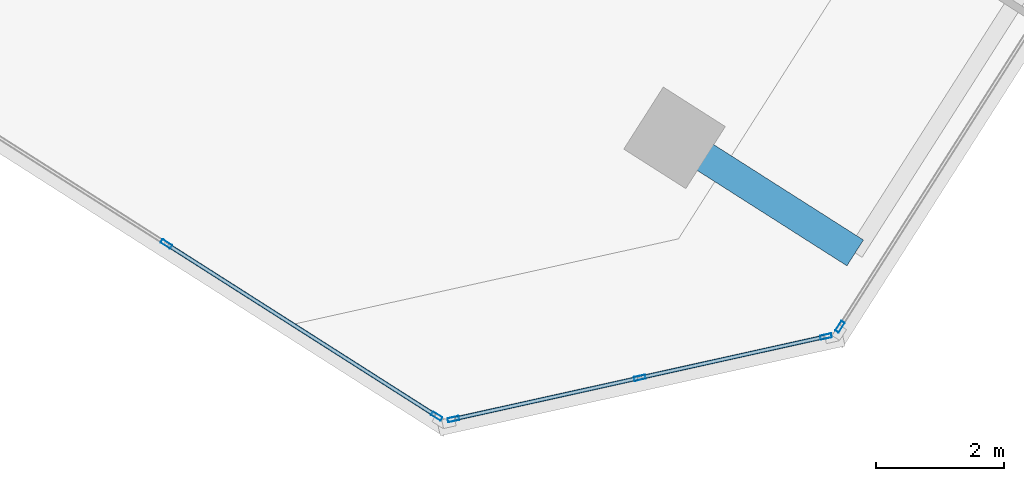
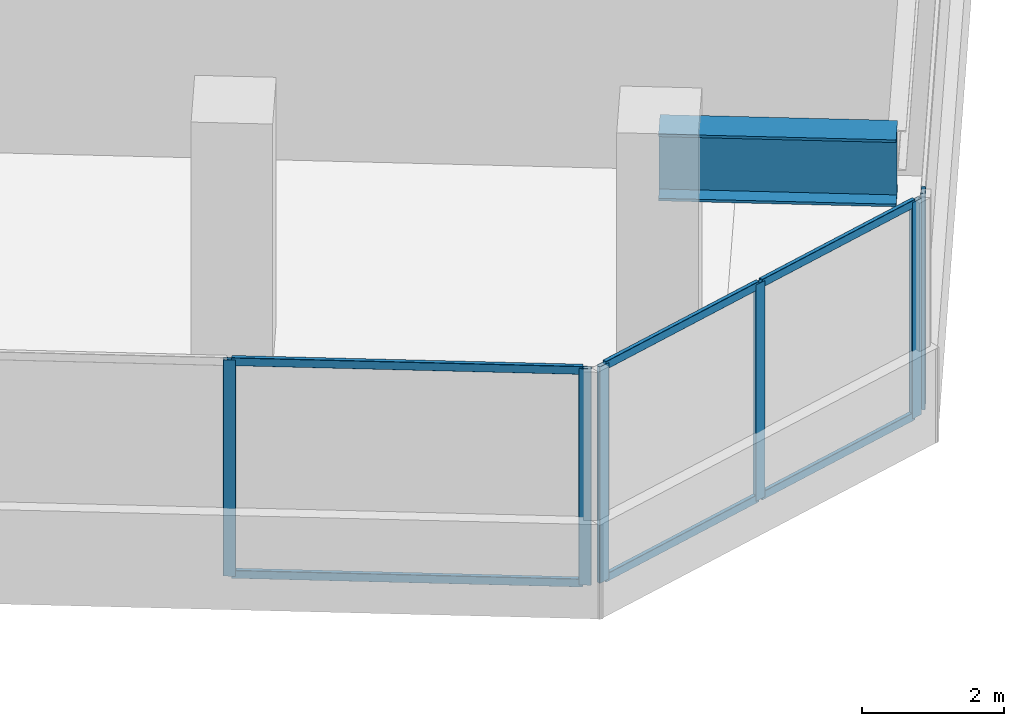
# One storey, part 7 of 23: 12 members, 1 beam, 3 elements without a shape of their own.
"""IFC4 building model written with IfcOpenShell, lengths in metres."""

from ifc_helpers import new_model, si_unit, direction, frame, origin, origin_2d, place, context, subcontext, project, spatial, hollow_rectangle, i_section, extrude, source, transform, mapped, material, material_profile, profile_set, type_object, element, aggregate, save


model = new_model("IFC4")

# Units and contexts
model_context = context("Model", 3, precision=1e-05, world=origin(), true_north=direction((0.0, 1.0)))
body_context = subcontext(model_context, "Body", "Model", "MODEL_VIEW")
ifc_project = project(units=[si_unit("LENGTHUNIT", "METRE"), si_unit("AREAUNIT", "SQUARE_METRE"), si_unit("VOLUMEUNIT", "CUBIC_METRE"), si_unit("PLANEANGLEUNIT", "RADIAN"), si_unit("MASSUNIT", "GRAM", prefix="KILO")], contexts=[model_context])

# Site, building, storey
site_placement = place(None, origin())
site = spatial("IfcSite", under=ifc_project, at=site_placement, CompositionType="ELEMENT")
building_placement = place(site_placement, origin())
building = spatial("IfcBuilding", under=site, at=building_placement, Name="Torre Montelarca", CompositionType="ELEMENT")
storey_placement = place(building_placement, frame((0.0, 0.0, 187.60009765625)))
storey = spatial("IfcBuildingStorey", under=building, at=storey_placement, Name="L42", CompositionType="ELEMENT", Elevation=187.60009765625)

# Beam
ifc_material_1 = material(Name="Steel ASTM A572 Grade 50", Category="steel")
ifc_material_profile_1 = material_profile(ifc_material_1, i_section(OverallWidth=0.47998046875, OverallDepth=1.14990234375, WebThickness=0.02197265625, FlangeThickness=0.044921875, at=origin_2d()), Name="PG1150X480X22X45", Category="steel")
ifc_profile_set_1 = profile_set([ifc_material_profile_1], Name="Steel ASTM A572 Grade 50")
beam_type = type_object("IfcBeamType", Name="BM-CG-PG1400-EXT", PredefinedType="USERDEFINED", material=ifc_profile_set_1)
shared_shape_1 = source(origin(), body_context, "Body", "SweptSolid", [
    extrude(i_section(OverallWidth=0.47998046875, OverallDepth=1.14990234375, WebThickness=0.02197265625, FlangeThickness=0.044921875, at=origin_2d()), origin(), (0.0, 0.0, 1.0), 3.349853515625),
])
beam_placement = place(storey_placement, frame((39.551513671875, 11.014404296875, 3.385009765625), z_axis=(0.843397293465, -0.537290429262, 0.0), x_axis=(0.537290429262, 0.843397293465, 0.0)))
element("IfcBeam", 1, at=beam_placement, inside=storey, type_object=beam_type, Name="L42 Sliding Tray Cantilever Girder East Y=24m (FLR)", ObjectType="CANTILEVER GIRDER", PredefinedType="USERDEFINED", context=body_context, shape_type="MappedRepresentation", body=[
    mapped(shared_shape_1, transform((0.0, 0.0, 0.0), scale=1.0)),
])

# Curtain wall, members
ifc_material_2 = material(Name="Insulated low-E laminated glass", Category="glass")
curtain_wall_type = type_object("IfcCurtainWallType", Name="CW-SYS-Z2", PredefinedType="USERDEFINED", material=ifc_material_2)
curtain_wall_1_placement = place(storey_placement, origin())
curtain_wall_1 = element("IfcCurtainWall", 2, at=curtain_wall_1_placement, inside=storey, type_object=curtain_wall_type, Name="L42 Curtain Wall Run CW-T3-L42-E05-B1", ObjectType="UNITISED GLAZING", PredefinedType="USERDEFINED")
ifc_material_3 = material(Name="Anodised aluminium AA 6063-T6", Category="aluminium")
ifc_material_profile_2 = material_profile(ifc_material_3, hollow_rectangle(XDim=0.06494140625, YDim=0.139892578125, WallThickness=0.00390625, InnerFilletRadius=0.00390625, OuterFilletRadius=0.008056640625, at=origin_2d()), Name="ALU65X140X4", Category="aluminium")
ifc_profile_set_2 = profile_set([ifc_material_profile_2], Name="Anodised aluminium AA 6063-T6")
member_type_1 = type_object("IfcMemberType", Name="CWT-ALU140", PredefinedType="USERDEFINED", material=ifc_profile_set_2)
shared_shape_2 = source(origin(), body_context, "Body", "SweptSolid", [
    extrude(hollow_rectangle(XDim=0.06494140625, YDim=0.139892578125, WallThickness=0.00390625, InnerFilletRadius=0.00390625, OuterFilletRadius=0.008056640625, at=origin_2d()), origin(), (0.0, 0.0, 1.0), 2.918701171875),
])
member_1_placement = place(storey_placement, frame((36.126220703125, 6.6220703125, 0.032470703125), z_axis=(0.976306966176, 0.216390174906, 0.0), x_axis=(-0.216390174906, 0.976306966176, 0.0)))
member_1 = element("IfcMember", 3, at=member_1_placement, type_object=member_type_1, Name="CW transom 1.1", ObjectType="TRANSOM", PredefinedType="USERDEFINED", context=body_context, shape_type="MappedRepresentation", body=[
    mapped(shared_shape_2, transform((0.0, 0.0, 0.0), scale=1.0)),
])
member_2_placement = place(storey_placement, frame((36.126220703125, 6.6220703125, 3.6875), z_axis=(0.976306966176, 0.216390174906, 0.0), x_axis=(-0.216390174906, 0.976306966176, 0.0)))
member_2 = element("IfcMember", 4, at=member_2_placement, type_object=member_type_1, Name="CW transom 1.2", ObjectType="TRANSOM", PredefinedType="USERDEFINED", context=body_context, shape_type="MappedRepresentation", body=[
    mapped(shared_shape_2, transform((0.0, 0.0, 0.0), scale=1.0)),
])
shared_shape_3 = source(origin(), body_context, "Body", "SweptSolid", [
    extrude(hollow_rectangle(XDim=0.06494140625, YDim=0.139892578125, WallThickness=0.00390625, InnerFilletRadius=0.00390625, OuterFilletRadius=0.008056640625, at=origin_2d()), origin(), (0.0, 0.0, 1.0), 2.91845703125),
])
member_3_placement = place(storey_placement, frame((39.039306640625, 7.267822265625, 0.032470703125), z_axis=(0.976285372123, 0.216487579732, 0.0), x_axis=(-0.216487579732, 0.976285372123, 0.0)))
member_3 = element("IfcMember", 5, at=member_3_placement, type_object=member_type_1, Name="CW transom 2.1", ObjectType="TRANSOM", PredefinedType="USERDEFINED", context=body_context, shape_type="MappedRepresentation", body=[
    mapped(shared_shape_3, transform((0.0, 0.0, 0.0), scale=1.0)),
])
member_4_placement = place(storey_placement, frame((39.039306640625, 7.267822265625, 3.6875), z_axis=(0.976285372123, 0.216487579732, 0.0), x_axis=(-0.216487579732, 0.976285372123, 0.0)))
member_4 = element("IfcMember", 6, at=member_4_placement, type_object=member_type_1, Name="CW transom 2.2", ObjectType="TRANSOM", PredefinedType="USERDEFINED", context=body_context, shape_type="MappedRepresentation", body=[
    mapped(shared_shape_3, transform((0.0, 0.0, 0.0), scale=1.0)),
])

curtain_wall_2_placement = place(storey_placement, origin())
curtain_wall_2 = element("IfcCurtainWall", 7, at=curtain_wall_2_placement, inside=storey, type_object=curtain_wall_type, Name="L42 Curtain Wall Run CW-T3-L42-E04-B1", ObjectType="UNITISED GLAZING", PredefinedType="USERDEFINED")
ifc_material_profile_3 = material_profile(ifc_material_3, hollow_rectangle(XDim=0.06494140625, YDim=0.179931640625, WallThickness=0.00390625, InnerFilletRadius=0.00390625, OuterFilletRadius=0.008056640625, at=origin_2d()), Name="ALU65X180X4", Category="aluminium")
ifc_profile_set_3 = profile_set([ifc_material_profile_3], Name="Anodised aluminium AA 6063-T6")
member_type_2 = type_object("IfcMemberType", Name="CWM-ALU180", PredefinedType="MULLION", material=ifc_profile_set_3)
shared_shape_4 = source(origin(), body_context, "Body", "SweptSolid", [
    extrude(hollow_rectangle(XDim=0.06494140625, YDim=0.179931640625, WallThickness=0.00390625, InnerFilletRadius=0.00390625, OuterFilletRadius=0.008056640625, at=origin_2d()), origin(), (0.0, 0.0, 1.0), 3.719970703125),
])
member_5_placement = place(storey_placement, frame((31.603271484375, 9.355224609375, 0.0), z_axis=(0.0, 0.0, 1.0), x_axis=(0.537310114174, 0.843384752771, 0.0)))
member_5 = element("IfcMember", 8, at=member_5_placement, type_object=member_type_2, Name="CW mullion 2", PredefinedType="MULLION", context=body_context, shape_type="MappedRepresentation", body=[
    mapped(shared_shape_4, transform((0.0, 0.0, 0.0), scale=1.0)),
])
member_6_placement = place(storey_placement, frame((35.831787109375, 6.661376953125, 0.0), z_axis=(0.0, 0.0, 1.0), x_axis=(0.537310114174, 0.843384752771, 0.0)))
member_6 = element("IfcMember", 9, at=member_6_placement, type_object=member_type_2, Name="CW mullion 3", PredefinedType="MULLION", context=body_context, shape_type="MappedRepresentation", body=[
    mapped(shared_shape_4, transform((0.0, 0.0, 0.0), scale=1.0)),
])

# Member
member_7_placement = place(storey_placement, frame((36.094482421875, 6.614990234375, 0.0), z_axis=(0.0, 0.0, 1.0), x_axis=(-0.216463544344, 0.976290701569, 0.0)))
member_7 = element("IfcMember", 10, at=member_7_placement, type_object=member_type_2, Name="CW mullion 1", PredefinedType="MULLION", context=body_context, shape_type="MappedRepresentation", body=[
    mapped(shared_shape_4, transform((0.0, 0.0, 0.0), scale=1.0)),
])

member_8_placement = place(storey_placement, frame((39.007568359375, 7.2607421875, 0.0), z_axis=(0.0, 0.0, 1.0), x_axis=(-0.216463544344, 0.976290701569, 0.0)))
member_8 = element("IfcMember", 11, at=member_8_placement, type_object=member_type_2, Name="CW mullion 2", PredefinedType="MULLION", context=body_context, shape_type="MappedRepresentation", body=[
    mapped(shared_shape_4, transform((0.0, 0.0, 0.0), scale=1.0)),
])

member_9_placement = place(storey_placement, frame((41.92041015625, 7.90673828125, 0.0), z_axis=(0.0, 0.0, 1.0), x_axis=(-0.216463544344, 0.976290701569, 0.0)))
member_9 = element("IfcMember", 12, at=member_9_placement, type_object=member_type_2, Name="CW mullion 3", PredefinedType="MULLION", context=body_context, shape_type="MappedRepresentation", body=[
    mapped(shared_shape_4, transform((0.0, 0.0, 0.0), scale=1.0)),
])

aggregate(curtain_wall_1, [member_7, member_8, member_9, member_1, member_2, member_3, member_4])

# Curtain wall, member
curtain_wall_3_placement = place(storey_placement, origin())
curtain_wall_3 = element("IfcCurtainWall", 13, at=curtain_wall_3_placement, inside=storey, type_object=curtain_wall_type, Name="L42 Curtain Wall Run CW-T3-L42-E06-B1", ObjectType="UNITISED GLAZING", PredefinedType="USERDEFINED")
member_10_placement = place(storey_placement, frame((42.13916015625, 8.059814453125, 0.0), z_axis=(0.0, 0.0, 1.0), x_axis=(-0.843389039566, 0.53730338538, 0.0)))
member_10 = element("IfcMember", 14, at=member_10_placement, type_object=member_type_2, Name="CW mullion 1", PredefinedType="MULLION", context=body_context, shape_type="MappedRepresentation", body=[
    mapped(shared_shape_4, transform((0.0, 0.0, 0.0), scale=1.0)),
])
aggregate(curtain_wall_3, [member_10])

# Member
shared_shape_5 = source(origin(), body_context, "Body", "SweptSolid", [
    extrude(hollow_rectangle(XDim=0.06494140625, YDim=0.139892578125, WallThickness=0.00390625, InnerFilletRadius=0.00390625, OuterFilletRadius=0.008056640625, at=origin_2d()), origin(), (0.0, 0.0, 1.0), 4.94873046875),
])
member_11_placement = place(storey_placement, frame((31.630615234375, 9.337646484375, 0.032470703125), z_axis=(0.843385098953, -0.537309570792, 0.0), x_axis=(0.537309570792, 0.843385098953, 0.0)))
member_11 = element("IfcMember", 15, at=member_11_placement, type_object=member_type_1, Name="CW transom 2.1", ObjectType="TRANSOM", PredefinedType="USERDEFINED", context=body_context, shape_type="MappedRepresentation", body=[
    mapped(shared_shape_5, transform((0.0, 0.0, 0.0), scale=1.0)),
])

member_12_placement = place(storey_placement, frame((31.630615234375, 9.337646484375, 3.6875), z_axis=(0.843385098953, -0.537309570792, 0.0), x_axis=(0.537309570792, 0.843385098953, 0.0)))
member_12 = element("IfcMember", 16, at=member_12_placement, type_object=member_type_1, Name="CW transom 2.2", ObjectType="TRANSOM", PredefinedType="USERDEFINED", context=body_context, shape_type="MappedRepresentation", body=[
    mapped(shared_shape_5, transform((0.0, 0.0, 0.0), scale=1.0)),
])

aggregate(curtain_wall_2, [member_5, member_6, member_11, member_12])

save(model, "model.ifc")
